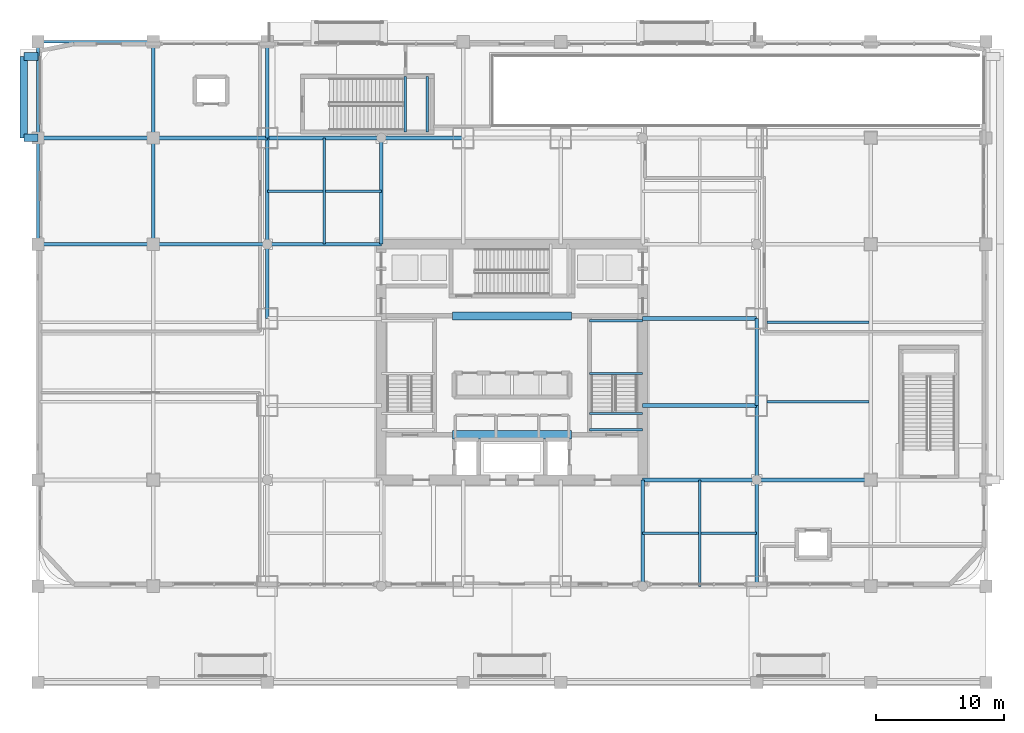
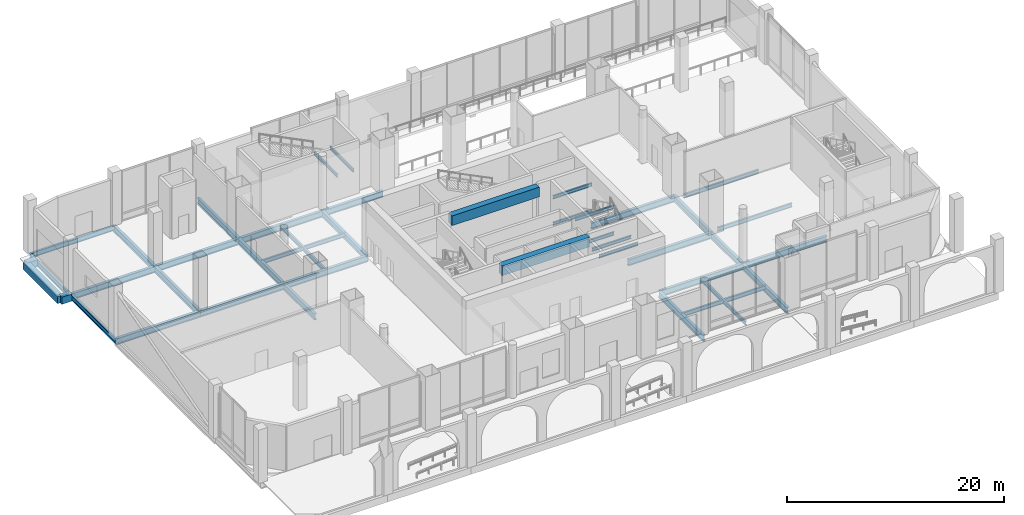
# One storey, part 7 of 32: 40 beams.
"""IFC4 building model written with IfcOpenShell, lengths in metres."""

from ifc_helpers import new_model, si_unit, direction, frame, origin, origin_2d, place, context, subcontext, project, spatial, rectangle, i_section, extrude, material, material_profile, profile_set, type_object, element, save


model = new_model("IFC4")

# Units and contexts
model_context = context("Model", 3, precision=1e-05, world=origin(), true_north=direction((0.0, 1.0)))
body_context = subcontext(model_context, "Body", "Model", "MODEL_VIEW")
ifc_project = project(units=[si_unit("LENGTHUNIT", "METRE"), si_unit("AREAUNIT", "SQUARE_METRE"), si_unit("VOLUMEUNIT", "CUBIC_METRE"), si_unit("PLANEANGLEUNIT", "RADIAN"), si_unit("MASSUNIT", "GRAM", prefix="KILO")], contexts=[model_context])

# Site, building, storey
site_placement = place(None, origin())
site = spatial("IfcSite", under=ifc_project, at=site_placement, CompositionType="ELEMENT")
building_placement = place(site_placement, origin())
building = spatial("IfcBuilding", under=site, at=building_placement, Name="Punatoya Terracotta Tower", CompositionType="ELEMENT")
storey_placement = place(building_placement, origin())
storey = spatial("IfcBuildingStorey", under=building, at=storey_placement, Name="L00", CompositionType="ELEMENT", Elevation=0.0)

# Beams
ifc_material_1 = material(Name="Steel S355", Category="steel")
ifc_material_profile_1 = material_profile(ifc_material_1, i_section(OverallWidth=0.300048828125, OverallDepth=0.699951171875, WebThickness=0.01708984375, FlangeThickness=0.031982421875, FilletRadius=0.01806640625, at=origin_2d()))
ifc_profile_set_1 = profile_set([ifc_material_profile_1], Name="Steel S355")
beam_type_1 = type_object("IfcBeamType", Name="BM-PRI-700", PredefinedType="BEAM", material=ifc_profile_set_1)
beam_1_placement = place(storey_placement, frame((-19.10009765625, 17.5, -0.6298828125), z_axis=(1.0, 0.0, 0.0), x_axis=(0.0, 1.0, 0.0)))
element("IfcBeam", 1, at=beam_1_placement, inside=storey, type_object=beam_type_1, Name="BM-L00-RG-N1", PredefinedType="BEAM", context=body_context, shape_type="SweptSolid", body=[
    extrude(i_section(OverallWidth=0.300048828125, OverallDepth=0.699951171875, WebThickness=0.01708984375, FlangeThickness=0.031982421875, FilletRadius=0.01806640625, at=origin_2d()), origin(), (0.0, 0.0, 1.0), 15.300048828125),
])
for number, where, z_axis, x_axis, name in (
    (2, (-19.10009765625, 3.39990234375, -0.6298828125), (0.0, 1.0, 0.0), (-1.0, 0.0, 0.0), "BM-L00-RG-W3"),
    (3, (19.10009765625, -17.5, -0.6298828125), (0.0, 1.0, 0.0), (-1.0, 0.0, 0.0), "BM-L00-RG-E1"),
):
    element("IfcBeam", number, at=place(storey_placement, frame(where, z_axis=z_axis, x_axis=x_axis)), inside=storey, type_object=beam_type_1, Name=name, PredefinedType="BEAM", context=body_context, shape_type="SweptSolid", body=[
        extrude(i_section(OverallWidth=0.300048828125, OverallDepth=0.699951171875, WebThickness=0.01708984375, FlangeThickness=0.031982421875, FilletRadius=0.01806640625, at=origin_2d()), origin(), (0.0, 0.0, 1.0), 14.10009765625),
    ])
beam_2_placement = place(storey_placement, frame((19.10009765625, -3.39990234375, -0.6298828125), z_axis=(0.0, 1.0, 0.0), x_axis=(-1.0, 0.0, 0.0)))
element("IfcBeam", 4, at=beam_2_placement, inside=storey, type_object=beam_type_1, Name="BM-L00-RG-E2", PredefinedType="BEAM", context=body_context, shape_type="SweptSolid", body=[
    extrude(i_section(OverallWidth=0.300048828125, OverallDepth=0.699951171875, WebThickness=0.01708984375, FlangeThickness=0.031982421875, FilletRadius=0.01806640625, at=origin_2d()), origin(), (0.0, 0.0, 1.0), 6.7998046875),
])
for number, where, z_axis, x_axis, name in (
    (5, (-19.10009765625, 9.199951171875, -0.6298828125), (1.0, 0.0, 0.0), (0.0, 1.0, 0.0), "BM-L00-PR-WN"),
    (6, (10.199951171875, -9.199951171875, -0.6298828125), (1.0, 0.0, 0.0), (0.0, 1.0, 0.0), "BM-L00-PR-ES"),
    (7, (10.199951171875, -3.39990234375, -0.6298828125), (1.0, 0.0, 0.0), (0.0, 1.0, 0.0), "BM-L00-PR-ED"),
    (8, (10.199951171875, 3.39990234375, -0.6298828125), (1.0, 0.0, 0.0), (0.0, 1.0, 0.0), "BM-L00-PR-EE"),
):
    element("IfcBeam", number, at=place(storey_placement, frame(where, z_axis=z_axis, x_axis=x_axis)), inside=storey, type_object=beam_type_1, Name=name, PredefinedType="BEAM", context=body_context, shape_type="SweptSolid", body=[
        extrude(i_section(OverallWidth=0.300048828125, OverallDepth=0.699951171875, WebThickness=0.01708984375, FlangeThickness=0.031982421875, FilletRadius=0.01806640625, at=origin_2d()), origin(), (0.0, 0.0, 1.0), 8.900146484375),
    ])
for number, where, z_axis, x_axis, name in (
    (9, (10.199951171875, -17.5, -0.6298828125), (0.0, 1.0, 0.0), (-1.0, 0.0, 0.0), "BM-L00-PR-S4"),
    (10, (-10.199951171875, 9.199951171875, -0.6298828125), (0.0, 1.0, 0.0), (-1.0, 0.0, 0.0), "BM-L00-PR-N1"),
):
    element("IfcBeam", number, at=place(storey_placement, frame(where, z_axis=z_axis, x_axis=x_axis)), inside=storey, type_object=beam_type_1, Name=name, PredefinedType="BEAM", context=body_context, shape_type="SweptSolid", body=[
        extrude(i_section(OverallWidth=0.300048828125, OverallDepth=0.699951171875, WebThickness=0.01708984375, FlangeThickness=0.031982421875, FilletRadius=0.01806640625, at=origin_2d()), origin(), (0.0, 0.0, 1.0), 8.300048828125),
    ])
beam_3_placement = place(storey_placement, frame((-37.0, 9.199951171875, -0.6298828125), z_axis=(1.0, 0.0, 0.0), x_axis=(0.0, 1.0, 0.0)))
element("IfcBeam", 11, at=beam_3_placement, inside=storey, type_object=beam_type_1, Name="BM-L00-FW1", PredefinedType="BEAM", context=body_context, shape_type="SweptSolid", body=[
    extrude(i_section(OverallWidth=0.300048828125, OverallDepth=0.699951171875, WebThickness=0.01708984375, FlangeThickness=0.031982421875, FilletRadius=0.01806640625, at=origin_2d()), origin(), (0.0, 0.0, 1.0), 9.0),
])
beam_4_placement = place(storey_placement, frame((-28.0, 9.199951171875, -0.6298828125), z_axis=(1.0, 0.0, 0.0), x_axis=(0.0, 1.0, 0.0)))
element("IfcBeam", 12, at=beam_4_placement, inside=storey, type_object=beam_type_1, Name="BM-L00-FW2", PredefinedType="BEAM", context=body_context, shape_type="SweptSolid", body=[
    extrude(i_section(OverallWidth=0.300048828125, OverallDepth=0.699951171875, WebThickness=0.01708984375, FlangeThickness=0.031982421875, FilletRadius=0.01806640625, at=origin_2d()), origin(), (0.0, 0.0, 1.0), 8.89990234375),
])
beam_5_placement = place(storey_placement, frame((-37.0, 17.5, -0.6298828125), z_axis=(1.0, 0.0, 0.0), x_axis=(0.0, 1.0, 0.0)))
element("IfcBeam", 13, at=beam_5_placement, inside=storey, type_object=beam_type_1, Name="BM-L00-GW1", PredefinedType="BEAM", context=body_context, shape_type="SweptSolid", body=[
    extrude(i_section(OverallWidth=0.300048828125, OverallDepth=0.699951171875, WebThickness=0.01708984375, FlangeThickness=0.031982421875, FilletRadius=0.01806640625, at=origin_2d()), origin(), (0.0, 0.0, 1.0), 9.0),
])
beam_6_placement = place(storey_placement, frame((-28.0, 17.5, -0.6298828125), z_axis=(1.0, 0.0, 0.0), x_axis=(0.0, 1.0, 0.0)))
element("IfcBeam", 14, at=beam_6_placement, inside=storey, type_object=beam_type_1, Name="BM-L00-GW2", PredefinedType="BEAM", context=body_context, shape_type="SweptSolid", body=[
    extrude(i_section(OverallWidth=0.300048828125, OverallDepth=0.699951171875, WebThickness=0.01708984375, FlangeThickness=0.031982421875, FilletRadius=0.01806640625, at=origin_2d()), origin(), (0.0, 0.0, 1.0), 8.89990234375),
])
beam_7_placement = place(storey_placement, frame((-28.0, 9.199951171875, -0.6298828125), z_axis=(0.0, 1.0, 0.0), x_axis=(-1.0, 0.0, 0.0)))
element("IfcBeam", 15, at=beam_7_placement, inside=storey, type_object=beam_type_1, Name="BM-L00-X28W-9", PredefinedType="BEAM", context=body_context, shape_type="SweptSolid", body=[
    extrude(i_section(OverallWidth=0.300048828125, OverallDepth=0.699951171875, WebThickness=0.01708984375, FlangeThickness=0.031982421875, FilletRadius=0.01806640625, at=origin_2d()), origin(), (0.0, 0.0, 1.0), 8.300048828125),
])
for number, where, z_axis, x_axis, name in (
    (16, (-28.0, 17.5, -0.6298828125), (0.0, 1.0, 0.0), (-1.0, 0.0, 0.0), "BM-L00-X28W-17"),
    (17, (-19.10009765625, 17.5, -0.6298828125), (0.0, 1.0, 0.0), (-1.0, 0.0, 0.0), "BM-L00-M19W-17"),
):
    element("IfcBeam", number, at=place(storey_placement, frame(where, z_axis=z_axis, x_axis=x_axis)), inside=storey, type_object=beam_type_1, Name=name, PredefinedType="BEAM", context=body_context, shape_type="SweptSolid", body=[
        extrude(i_section(OverallWidth=0.300048828125, OverallDepth=0.699951171875, WebThickness=0.01708984375, FlangeThickness=0.031982421875, FilletRadius=0.01806640625, at=origin_2d()), origin(), (0.0, 0.0, 1.0), 7.5),
    ])
beam_8_placement = place(storey_placement, frame((19.10009765625, -9.199951171875, -0.6298828125), z_axis=(1.0, 0.0, 0.0), x_axis=(0.0, 1.0, 0.0)))
element("IfcBeam", 18, at=beam_8_placement, inside=storey, type_object=beam_type_1, Name="BM-L00-CE1", PredefinedType="BEAM", context=body_context, shape_type="SweptSolid", body=[
    extrude(i_section(OverallWidth=0.300048828125, OverallDepth=0.699951171875, WebThickness=0.01708984375, FlangeThickness=0.031982421875, FilletRadius=0.01806640625, at=origin_2d()), origin(), (0.0, 0.0, 1.0), 8.89990234375),
])
ifc_material_2 = material(Name="Concrete C60/75", Category="concrete")
ifc_material_profile_2 = material_profile(ifc_material_2, rectangle(XDim=0.64990234375, YDim=1.10009765625, at=origin_2d()))
ifc_profile_set_2 = profile_set([ifc_material_profile_2], Name="Concrete C60/75")
beam_type_2 = type_object("IfcBeamType", Name="BM-RC-1100", PredefinedType="LINTEL", material=ifc_profile_set_2)
for number, where, z_axis, x_axis, name in (
    (19, (-4.64990234375, -5.679931640625, 5.169921875), (1.0, 0.0, 0.0), (0.0, 1.0, 0.0), "L00 Core Coupling Lintel CSW"),
    (20, (-4.64990234375, 3.60009765625, 5.169921875), (1.0, 0.0, 0.0), (0.0, 1.0, 0.0), "L00 Core Coupling Lintel CNW"),
):
    element("IfcBeam", number, at=place(storey_placement, frame(where, z_axis=z_axis, x_axis=x_axis)), inside=storey, type_object=beam_type_2, Name=name, PredefinedType="LINTEL", context=body_context, shape_type="SweptSolid", body=[
        extrude(rectangle(XDim=0.64990234375, YDim=1.10009765625, at=origin_2d()), origin(), (0.0, 0.0, 1.0), 9.2998046875),
    ])
ifc_material_3 = material(Name="Concrete C45/55", Category="concrete")
ifc_material_profile_3 = material_profile(ifc_material_3, rectangle(XDim=0.60009765625, YDim=0.800048828125, at=origin_2d()))
ifc_profile_set_3 = profile_set([ifc_material_profile_3], Name="Concrete C45/55")
beam_type_3 = type_object("IfcBeamType", Name="BM-RC-GRD", PredefinedType="BEAM", material=ifc_profile_set_3)
beam_9_placement = place(storey_placement, frame((-38.10009765625, 17.5, -0.550048828125), z_axis=(0.0, 1.0, 0.0), x_axis=(-1.0, 0.0, 0.0)))
element("IfcBeam", 21, at=beam_9_placement, inside=storey, type_object=beam_type_3, Name="GB-APRW-1", PredefinedType="BEAM", context=body_context, shape_type="SweptSolid", body=[
    extrude(rectangle(XDim=0.60009765625, YDim=0.800048828125, at=origin_2d()), origin(), (0.0, 0.0, 1.0), 6.35009765625),
])
for number, where, z_axis, x_axis, name in (
    (22, (-38.10009765625, 17.5, -0.550048828125), (1.0, 0.0, 0.0), (0.0, 1.0, 0.0), "GB-APRW-T1"),
    (23, (-38.10009765625, 23.85009765625, -0.550048828125), (1.0, 0.0, 0.0), (0.0, 1.0, 0.0), "GB-APRW-T2"),
):
    element("IfcBeam", number, at=place(storey_placement, frame(where, z_axis=z_axis, x_axis=x_axis)), inside=storey, type_object=beam_type_3, Name=name, PredefinedType="BEAM", context=body_context, shape_type="SweptSolid", body=[
        extrude(rectangle(XDim=0.60009765625, YDim=0.800048828125, at=origin_2d()), origin(), (0.0, 0.0, 1.0), 1.10009765625),
    ])
ifc_material_profile_4 = material_profile(ifc_material_1, i_section(OverallWidth=0.169921875, OverallDepth=0.360107421875, WebThickness=0.008056640625, FlangeThickness=0.0126953125, FilletRadius=0.01806640625, at=origin_2d()))
ifc_profile_set_4 = profile_set([ifc_material_profile_4], Name="Steel S355")
beam_type_4 = type_object("IfcBeamType", Name="BM-SEC-360", PredefinedType="JOIST", material=ifc_profile_set_4)
for number, where, z_axis, x_axis, name in (
    (24, (6.050048828125, -0.8798828125, 1.1201171875), (1.0, 0.0, 0.0), (0.0, 1.0, 0.0), "BM-L00-ST-2-LD1A"),
    (25, (6.050048828125, 3.22998046875, 1.1201171875), (1.0, 0.0, 0.0), (0.0, 1.0, 0.0), "BM-L00-ST-2-LD1B"),
    (26, (6.050048828125, -5.280029296875, 2.6201171875), (1.0, 0.0, 0.0), (0.0, 1.0, 0.0), "BM-L00-ST-2-LD2A"),
    (27, (6.050048828125, -4.02001953125, 2.6201171875), (1.0, 0.0, 0.0), (0.0, 1.0, 0.0), "BM-L00-ST-2-LD2B"),
    (28, (6.050048828125, -0.8798828125, 4.1201171875), (1.0, 0.0, 0.0), (0.0, 1.0, 0.0), "BM-L00-ST-2-LD3A"),
    (29, (6.050048828125, 3.22998046875, 4.1201171875), (1.0, 0.0, 0.0), (0.0, 1.0, 0.0), "BM-L00-ST-2-LD3B"),
):
    element("IfcBeam", number, at=place(storey_placement, frame(where, z_axis=z_axis, x_axis=x_axis)), inside=storey, type_object=beam_type_4, Name=name, PredefinedType="JOIST", context=body_context, shape_type="SweptSolid", body=[
        extrude(i_section(OverallWidth=0.169921875, OverallDepth=0.360107421875, WebThickness=0.008056640625, FlangeThickness=0.0126953125, FilletRadius=0.01806640625, at=origin_2d()), origin(), (0.0, 0.0, 1.0), 4.14990234375),
    ])
for number, where, z_axis, x_axis, name in (
    (30, (-8.330078125, 17.949951171875, 2.6201171875), (0.0, 1.0, 0.0), (-1.0, 0.0, 0.0), "BM-L00-ST-P1-LD1A"),
    (31, (-6.6201171875, 17.949951171875, 2.6201171875), (0.0, 1.0, 0.0), (-1.0, 0.0, 0.0), "BM-L00-ST-P1-LD1B"),
):
    element("IfcBeam", number, at=place(storey_placement, frame(where, z_axis=z_axis, x_axis=x_axis)), inside=storey, type_object=beam_type_4, Name=name, PredefinedType="JOIST", context=body_context, shape_type="SweptSolid", body=[
        extrude(i_section(OverallWidth=0.169921875, OverallDepth=0.360107421875, WebThickness=0.008056640625, FlangeThickness=0.0126953125, FilletRadius=0.01806640625, at=origin_2d()), origin(), (0.0, 0.0, 1.0), 4.35009765625),
    ])
ifc_material_profile_5 = material_profile(ifc_material_1, i_section(OverallWidth=0.18994140625, OverallDepth=0.449951171875, WebThickness=0.009521484375, FlangeThickness=0.0146484375, FilletRadius=0.01806640625, at=origin_2d()))
ifc_profile_set_5 = profile_set([ifc_material_profile_5], Name="Steel S355")
beam_type_5 = type_object("IfcBeamType", Name="BM-SEC-450", PredefinedType="JOIST", material=ifc_profile_set_5)
for number, where, z_axis, x_axis, name in (
    (32, (-19.10009765625, 13.35009765625, -0.5048828125), (1.0, 0.0, 0.0), (0.0, 1.0, 0.0), "BM-L00-SJN-1"),
    (33, (10.199951171875, -13.35009765625, -0.5048828125), (1.0, 0.0, 0.0), (0.0, 1.0, 0.0), "BM-L00-SJS-2"),
):
    element("IfcBeam", number, at=place(storey_placement, frame(where, z_axis=z_axis, x_axis=x_axis)), inside=storey, type_object=beam_type_5, Name=name, PredefinedType="JOIST", context=body_context, shape_type="SweptSolid", body=[
        extrude(i_section(OverallWidth=0.18994140625, OverallDepth=0.449951171875, WebThickness=0.009521484375, FlangeThickness=0.0146484375, FilletRadius=0.01806640625, at=origin_2d()), origin(), (0.0, 0.0, 1.0), 8.900146484375),
    ])
for number, where, z_axis, x_axis, name in (
    (34, (14.64990234375, -17.5, -0.5048828125), (0.0, 1.0, 0.0), (-1.0, 0.0, 0.0), "BM-L00-SJE-1"),
    (35, (-14.64990234375, 9.199951171875, -0.5048828125), (0.0, 1.0, 0.0), (-1.0, 0.0, 0.0), "BM-L00-SJW-2"),
):
    element("IfcBeam", number, at=place(storey_placement, frame(where, z_axis=z_axis, x_axis=x_axis)), inside=storey, type_object=beam_type_5, Name=name, PredefinedType="JOIST", context=body_context, shape_type="SweptSolid", body=[
        extrude(i_section(OverallWidth=0.18994140625, OverallDepth=0.449951171875, WebThickness=0.009521484375, FlangeThickness=0.0146484375, FilletRadius=0.01806640625, at=origin_2d()), origin(), (0.0, 0.0, 1.0), 8.300048828125),
    ])
for number, where, z_axis, x_axis, name in (
    (36, (19.89990234375, -3.10009765625, -0.5048828125), (1.0, 0.0, 0.0), (0.0, 1.0, 0.0), "BM-L00-WNGJ-E1--31"),
    (37, (19.89990234375, 3.10009765625, -0.5048828125), (1.0, 0.0, 0.0), (0.0, 1.0, 0.0), "BM-L00-WNGJ-E1-31"),
):
    element("IfcBeam", number, at=place(storey_placement, frame(where, z_axis=z_axis, x_axis=x_axis)), inside=storey, type_object=beam_type_5, Name=name, PredefinedType="JOIST", context=body_context, shape_type="SweptSolid", body=[
        extrude(i_section(OverallWidth=0.18994140625, OverallDepth=0.449951171875, WebThickness=0.009521484375, FlangeThickness=0.0146484375, FilletRadius=0.01806640625, at=origin_2d()), origin(), (0.0, 0.0, 1.0), 7.9501953125),
    ])
ifc_material_profile_6 = material_profile(ifc_material_1, i_section(OverallWidth=0.2099609375, OverallDepth=0.550048828125, WebThickness=0.010986328125, FlangeThickness=0.01708984375, FilletRadius=0.01806640625, at=origin_2d()))
ifc_profile_set_6 = profile_set([ifc_material_profile_6], Name="Steel S355")
beam_type_6 = type_object("IfcBeamType", Name="BM-SPN-550", PredefinedType="SPANDREL", material=ifc_profile_set_6)
beam_10_placement = place(storey_placement, frame((-37.0, 25.0, -0.554931640625), z_axis=(1.0, 0.0, 0.0), x_axis=(0.0, 1.0, 0.0)))
element("IfcBeam", 38, at=beam_10_placement, inside=storey, type_object=beam_type_6, Name="BM-L00-HW1", PredefinedType="SPANDREL", context=body_context, shape_type="SweptSolid", body=[
    extrude(i_section(OverallWidth=0.2099609375, OverallDepth=0.550048828125, WebThickness=0.010986328125, FlangeThickness=0.01708984375, FilletRadius=0.01806640625, at=origin_2d()), origin(), (0.0, 0.0, 1.0), 9.0),
])
beam_11_placement = place(storey_placement, frame((-37.0, 9.199951171875, -0.554931640625), z_axis=(0.0, 1.0, 0.0), x_axis=(-1.0, 0.0, 0.0)))
element("IfcBeam", 39, at=beam_11_placement, inside=storey, type_object=beam_type_6, Name="BM-L00-X37W-9", PredefinedType="SPANDREL", context=body_context, shape_type="SweptSolid", body=[
    extrude(i_section(OverallWidth=0.2099609375, OverallDepth=0.550048828125, WebThickness=0.010986328125, FlangeThickness=0.01708984375, FilletRadius=0.01806640625, at=origin_2d()), origin(), (0.0, 0.0, 1.0), 8.300048828125),
])
beam_12_placement = place(storey_placement, frame((-37.0, 17.5, -0.554931640625), z_axis=(0.0, 1.0, 0.0), x_axis=(-1.0, 0.0, 0.0)))
element("IfcBeam", 40, at=beam_12_placement, inside=storey, type_object=beam_type_6, Name="BM-L00-X37W-17", PredefinedType="SPANDREL", context=body_context, shape_type="SweptSolid", body=[
    extrude(i_section(OverallWidth=0.2099609375, OverallDepth=0.550048828125, WebThickness=0.010986328125, FlangeThickness=0.01708984375, FilletRadius=0.01806640625, at=origin_2d()), origin(), (0.0, 0.0, 1.0), 7.5),
])

save(model, "model.ifc")
